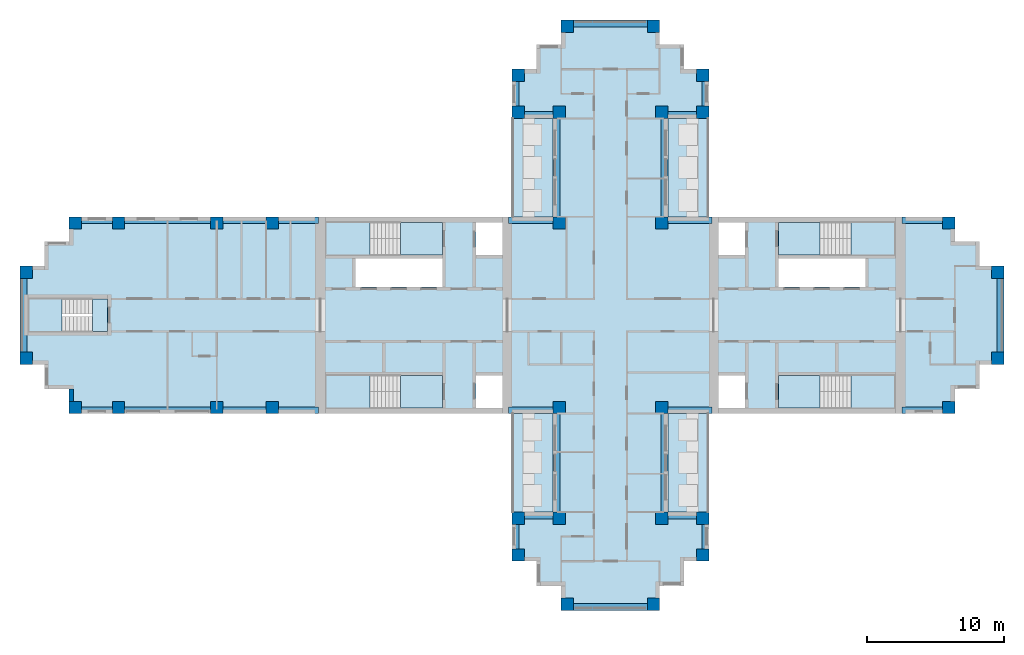
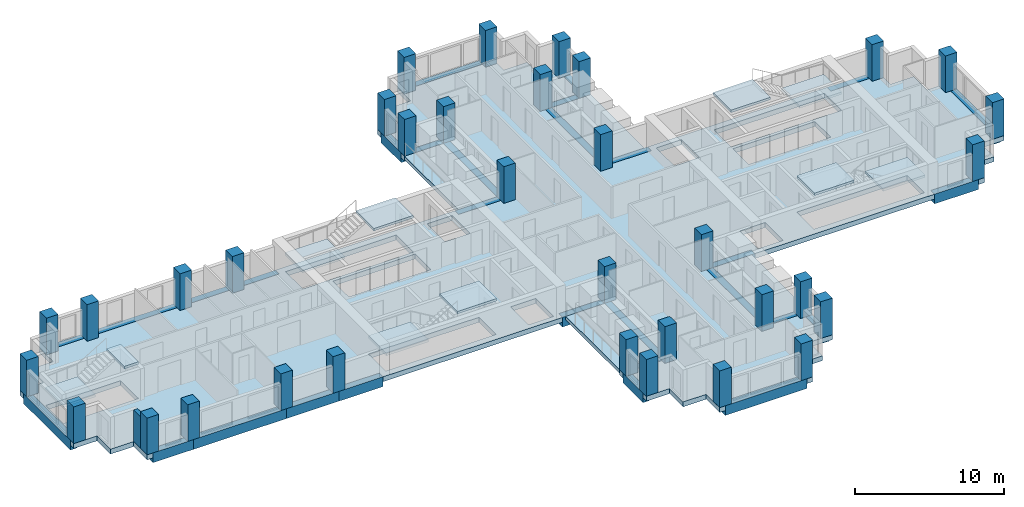
# One storey, part 1 of 11: 34 columns, 30 beams, 15 slabs, 1 wall, 5 elements without a shape of their own.
"""IFC4 building model written with IfcOpenShell, lengths in metres."""

from ifc_helpers import new_model, si_unit, direction, frame, frame_2d, origin, origin_2d, place, context, subcontext, project, spatial, polyline, rectangle, outline, extrude, material, layer, layer_set, material_profile, profile_set, type_object, element, aggregate, save


model = new_model("IFC4")

# Units and contexts
model_context = context("Model", 3, precision=1e-05, world=origin(), true_north=direction((0.0, 1.0)))
body_context = subcontext(model_context, "Body", "Model", "MODEL_VIEW")
ifc_project = project(units=[si_unit("LENGTHUNIT", "METRE"), si_unit("AREAUNIT", "SQUARE_METRE"), si_unit("VOLUMEUNIT", "CUBIC_METRE"), si_unit("PLANEANGLEUNIT", "RADIAN"), si_unit("MASSUNIT", "GRAM", prefix="KILO")], contexts=[model_context])

# Site, building, storey
site_placement = place(None, origin())
site = spatial("IfcSite", under=ifc_project, at=site_placement, CompositionType="ELEMENT")
building_placement = place(site_placement, origin())
building = spatial("IfcBuilding", under=site, at=building_placement, Name="Fustian Cross Tower", CompositionType="ELEMENT")
storey_placement = place(building_placement, frame((0.0, 0.0, 170.699951171875)))
storey = spatial("IfcBuildingStorey", under=building, at=storey_placement, Name="L53", CompositionType="ELEMENT", Elevation=170.699951171875)

# Columns
ifc_material_1 = material(Name="Concrete C40/50", Category="concrete")
ifc_material_profile_1 = material_profile(ifc_material_1, rectangle(XDim=0.89990234375, YDim=0.89990234375, at=origin_2d()), Name="RC 900x900")
ifc_profile_set_1 = profile_set([ifc_material_profile_1], Name="Concrete C40/50")
column_type = type_object("IfcColumnType", Name="COLUMN RC 900x900 C40/50", PredefinedType="COLUMN", material=ifc_profile_set_1)
for number, where, z_axis, x_axis, name in (
    (1, (-42.75, -3.14990234375, 0.0), (0.0, 0.0, 1.0), (1.0, 0.0, 0.0), "COLUMN 001"),
    (2, (-42.75, 3.14990234375, 0.0), (0.0, 0.0, 1.0), (1.0, 0.0, 0.0), "COLUMN 002"),
    (3, (-39.14990234375, -6.75, 0.0), (0.0, 0.0, 1.0), (1.0, 0.0, 0.0), "COLUMN 003"),
    (4, (-39.14990234375, 6.75, 0.0), (0.0, 0.0, 1.0), (1.0, 0.0, 0.0), "COLUMN 004"),
    (5, (-36.0, -6.75, 0.0), (0.0, 0.0, 1.0), (1.0, 0.0, 0.0), "COLUMN 005"),
    (6, (-36.0, 6.75, 0.0), (0.0, 0.0, 1.0), (1.0, 0.0, 0.0), "COLUMN 006"),
    (7, (-28.800048828125, -6.75, 0.0), (0.0, 0.0, 1.0), (1.0, 0.0, 0.0), "COLUMN 007"),
    (8, (-28.800048828125, 6.75, 0.0), (0.0, 0.0, 1.0), (1.0, 0.0, 0.0), "COLUMN 010"),
    (9, (-24.75, -6.75, 0.0), (0.0, 0.0, 1.0), (1.0, 0.0, 0.0), "COLUMN 011"),
    (10, (-24.75, 6.75, 0.0), (0.0, 0.0, 1.0), (1.0, 0.0, 0.0), "COLUMN 012"),
    (11, (-6.75, -17.550048828125, 0.0), (0.0, 0.0, 1.0), (1.0, 0.0, 0.0), "COLUMN 017"),
    (12, (-6.75, -14.85009765625, 0.0), (0.0, 0.0, 1.0), (1.0, 0.0, 0.0), "COLUMN 018"),
    (13, (-6.75, 14.85009765625, 0.0), (0.0, 0.0, 1.0), (1.0, 0.0, 0.0), "COLUMN 019"),
    (14, (-6.75, 17.550048828125, 0.0), (0.0, 0.0, 1.0), (1.0, 0.0, 0.0), "COLUMN 020"),
    (15, (-3.75, -14.85009765625, 0.0), (0.0, 0.0, 1.0), (1.0, 0.0, 0.0), "COLUMN 025"),
    (16, (-3.75, -6.75, 0.0), (0.0, 0.0, 1.0), (1.0, 0.0, 0.0), "COLUMN 026"),
    (17, (-3.75, 6.75, 0.0), (0.0, 0.0, 1.0), (1.0, 0.0, 0.0), "COLUMN 027"),
    (18, (-3.75, 14.85009765625, 0.0), (0.0, 0.0, 1.0), (1.0, 0.0, 0.0), "COLUMN 028"),
    (19, (-3.14990234375, -21.14990234375, 0.0), (0.0, 0.0, 1.0), (1.0, 0.0, 0.0), "COLUMN 030"),
    (20, (-3.14990234375, 21.14990234375, 0.0), (0.0, 0.0, 1.0), (1.0, 0.0, 0.0), "COLUMN 031"),
    (21, (3.14990234375, -21.14990234375, 0.0), (0.0, 0.0, 1.0), (1.0, 0.0, 0.0), "COLUMN 034"),
    (22, (3.14990234375, 21.14990234375, 0.0), (0.0, 0.0, 1.0), (1.0, 0.0, 0.0), "COLUMN 035"),
    (23, (3.75, -14.85009765625, 0.0), (0.0, 0.0, 1.0), (1.0, 0.0, 0.0), "COLUMN 037"),
    (24, (3.75, -6.75, 0.0), (0.0, 0.0, 1.0), (1.0, 0.0, 0.0), "COLUMN 038"),
    (25, (3.75, 6.75, 0.0), (0.0, 0.0, 1.0), (1.0, 0.0, 0.0), "COLUMN 039"),
    (26, (3.75, 14.85009765625, 0.0), (0.0, 0.0, 1.0), (1.0, 0.0, 0.0), "COLUMN 040"),
    (27, (6.75, -17.550048828125, 0.0), (0.0, 0.0, 1.0), (1.0, 0.0, 0.0), "COLUMN 045"),
    (28, (6.75, -14.85009765625, 0.0), (0.0, 0.0, 1.0), (1.0, 0.0, 0.0), "COLUMN 046"),
    (29, (6.75, 14.85009765625, 0.0), (0.0, 0.0, 1.0), (1.0, 0.0, 0.0), "COLUMN 047"),
    (30, (6.75, 17.550048828125, 0.0), (0.0, 0.0, 1.0), (1.0, 0.0, 0.0), "COLUMN 048"),
    (31, (24.75, -6.75, 0.0), (0.0, 0.0, 1.0), (1.0, 0.0, 0.0), "COLUMN 053"),
    (32, (24.75, 6.75, 0.0), (0.0, 0.0, 1.0), (1.0, 0.0, 0.0), "COLUMN 054"),
    (33, (28.35009765625, -3.14990234375, 0.0), (0.0, 0.0, 1.0), (1.0, 0.0, 0.0), "COLUMN 056"),
    (34, (28.35009765625, 3.14990234375, 0.0), (0.0, 0.0, 1.0), (1.0, 0.0, 0.0), "COLUMN 057"),
):
    element("IfcColumn", number, at=place(storey_placement, frame(where, z_axis=z_axis, x_axis=x_axis)), inside=storey, type_object=column_type, Name=name, PredefinedType="COLUMN", context=body_context, shape_type="SweptSolid", body=[
        extrude(rectangle(XDim=0.89990234375, YDim=0.89990234375, at=origin_2d()), origin(), (0.0, 0.0, 1.0), 3.0),
    ])

# Beams
ifc_material_2 = material(Name="Concrete C50/60", Category="concrete")
ifc_material_profile_2 = material_profile(ifc_material_2, rectangle(XDim=0.5, YDim=0.800048828125, at=origin_2d()), Name="RC 500x800")
ifc_profile_set_2 = profile_set([ifc_material_profile_2], Name="Concrete C50/60")
beam_type = type_object("IfcBeamType", Name="EDGE BEAM RC 500x800 C50/60", PredefinedType="SPANDREL", material=ifc_profile_set_2)
beam_1_placement = place(storey_placement, frame((21.35009765625, -6.949951171875, -0.39990234375), z_axis=(1.0, 0.0, 0.0), x_axis=(0.0, 1.0, 0.0)))
element("IfcBeam", 35, at=beam_1_placement, inside=storey, type_object=beam_type, Name="EDGE BEAM L53-01", PredefinedType="SPANDREL", context=body_context, shape_type="SweptSolid", body=[
    extrude(rectangle(XDim=0.5, YDim=0.800048828125, at=origin_2d()), origin(), (0.0, 0.0, 1.0), 3.39990234375),
])
beam_2_placement = place(storey_placement, frame((28.550048828125, -3.14990234375, -0.39990234375), z_axis=(0.0, 1.0, 0.0), x_axis=(-1.0, 0.0, 0.0)))
element("IfcBeam", 36, at=beam_2_placement, inside=storey, type_object=beam_type, Name="EDGE BEAM L53-02", PredefinedType="SPANDREL", context=body_context, shape_type="SweptSolid", body=[
    extrude(rectangle(XDim=0.5, YDim=0.800048828125, at=origin_2d()), origin(), (0.0, 0.0, 1.0), 6.2998046875),
])
beam_3_placement = place(storey_placement, frame((24.75, 6.949951171875, -0.39990234375), z_axis=(-1.0, 0.0, 0.0), x_axis=(0.0, -1.0, 0.0)))
element("IfcBeam", 37, at=beam_3_placement, inside=storey, type_object=beam_type, Name="EDGE BEAM L53-03", PredefinedType="SPANDREL", context=body_context, shape_type="SweptSolid", body=[
    extrude(rectangle(XDim=0.5, YDim=0.800048828125, at=origin_2d()), origin(), (0.0, 0.0, 1.0), 3.39990234375),
])
beam_4_placement = place(storey_placement, frame((7.449951171875, 6.949951171875, -0.39990234375), z_axis=(-1.0, 0.0, 0.0), x_axis=(0.0, -1.0, 0.0)))
element("IfcBeam", 38, at=beam_4_placement, inside=storey, type_object=beam_type, Name="EDGE BEAM L53-04", PredefinedType="SPANDREL", context=body_context, shape_type="SweptSolid", body=[
    extrude(rectangle(XDim=0.5, YDim=0.800048828125, at=origin_2d()), origin(), (0.0, 0.0, 1.0), 3.699951171875),
])
beam_5_placement = place(storey_placement, frame((3.949951171875, 6.75, -0.39990234375), z_axis=(0.0, 1.0, 0.0), x_axis=(-1.0, 0.0, 0.0)))
element("IfcBeam", 39, at=beam_5_placement, inside=storey, type_object=beam_type, Name="EDGE BEAM L53-05", PredefinedType="SPANDREL", context=body_context, shape_type="SweptSolid", body=[
    extrude(rectangle(XDim=0.5, YDim=0.800048828125, at=origin_2d()), origin(), (0.0, 0.0, 1.0), 8.10009765625),
])
beam_6_placement = place(storey_placement, frame((3.75, 14.64990234375, -0.39990234375), z_axis=(1.0, 0.0, 0.0), x_axis=(0.0, 1.0, 0.0)))
element("IfcBeam", 40, at=beam_6_placement, inside=storey, type_object=beam_type, Name="EDGE BEAM L53-06", PredefinedType="SPANDREL", context=body_context, shape_type="SweptSolid", body=[
    extrude(rectangle(XDim=0.5, YDim=0.800048828125, at=origin_2d()), origin(), (0.0, 0.0, 1.0), 3.0),
])
beam_7_placement = place(storey_placement, frame((6.949951171875, 14.85009765625, -0.39990234375), z_axis=(0.0, 1.0, 0.0), x_axis=(-1.0, 0.0, 0.0)))
element("IfcBeam", 41, at=beam_7_placement, inside=storey, type_object=beam_type, Name="EDGE BEAM L53-07", PredefinedType="SPANDREL", context=body_context, shape_type="SweptSolid", body=[
    extrude(rectangle(XDim=0.5, YDim=0.800048828125, at=origin_2d()), origin(), (0.0, 0.0, 1.0), 2.699951171875),
])
beam_8_placement = place(storey_placement, frame((3.14990234375, 21.35009765625, -0.39990234375), z_axis=(-1.0, 0.0, 0.0), x_axis=(0.0, -1.0, 0.0)))
element("IfcBeam", 42, at=beam_8_placement, inside=storey, type_object=beam_type, Name="EDGE BEAM L53-08", PredefinedType="SPANDREL", context=body_context, shape_type="SweptSolid", body=[
    extrude(rectangle(XDim=0.5, YDim=0.800048828125, at=origin_2d()), origin(), (0.0, 0.0, 1.0), 6.2998046875),
])
beam_9_placement = place(storey_placement, frame((-6.949951171875, 17.550048828125, -0.39990234375), z_axis=(0.0, -1.0, 0.0), x_axis=(1.0, 0.0, 0.0)))
element("IfcBeam", 43, at=beam_9_placement, inside=storey, type_object=beam_type, Name="EDGE BEAM L53-09", PredefinedType="SPANDREL", context=body_context, shape_type="SweptSolid", body=[
    extrude(rectangle(XDim=0.5, YDim=0.800048828125, at=origin_2d()), origin(), (0.0, 0.0, 1.0), 2.699951171875),
])
beam_10_placement = place(storey_placement, frame((-6.75, 14.64990234375, -0.39990234375), z_axis=(1.0, 0.0, 0.0), x_axis=(0.0, 1.0, 0.0)))
element("IfcBeam", 44, at=beam_10_placement, inside=storey, type_object=beam_type, Name="EDGE BEAM L53-10", PredefinedType="SPANDREL", context=body_context, shape_type="SweptSolid", body=[
    extrude(rectangle(XDim=0.5, YDim=0.800048828125, at=origin_2d()), origin(), (0.0, 0.0, 1.0), 3.0),
])
beam_11_placement = place(storey_placement, frame((-3.949951171875, 14.85009765625, -0.39990234375), z_axis=(0.0, -1.0, 0.0), x_axis=(1.0, 0.0, 0.0)))
element("IfcBeam", 45, at=beam_11_placement, inside=storey, type_object=beam_type, Name="EDGE BEAM L53-11", PredefinedType="SPANDREL", context=body_context, shape_type="SweptSolid", body=[
    extrude(rectangle(XDim=0.5, YDim=0.800048828125, at=origin_2d()), origin(), (0.0, 0.0, 1.0), 8.10009765625),
])
beam_12_placement = place(storey_placement, frame((-3.75, 6.949951171875, -0.39990234375), z_axis=(-1.0, 0.0, 0.0), x_axis=(0.0, -1.0, 0.0)))
element("IfcBeam", 46, at=beam_12_placement, inside=storey, type_object=beam_type, Name="EDGE BEAM L53-12", PredefinedType="SPANDREL", context=body_context, shape_type="SweptSolid", body=[
    extrude(rectangle(XDim=0.5, YDim=0.800048828125, at=origin_2d()), origin(), (0.0, 0.0, 1.0), 3.699951171875),
])
beam_13_placement = place(storey_placement, frame((-21.35009765625, 6.949951171875, -0.39990234375), z_axis=(-1.0, 0.0, 0.0), x_axis=(0.0, -1.0, 0.0)))
element("IfcBeam", 47, at=beam_13_placement, inside=storey, type_object=beam_type, Name="EDGE BEAM L53-13", PredefinedType="SPANDREL", context=body_context, shape_type="SweptSolid", body=[
    extrude(rectangle(XDim=0.5, YDim=0.800048828125, at=origin_2d()), origin(), (0.0, 0.0, 1.0), 3.39990234375),
])
beam_14_placement = place(storey_placement, frame((-24.75, 6.949951171875, -0.39990234375), z_axis=(-1.0, 0.0, 0.0), x_axis=(0.0, -1.0, 0.0)))
element("IfcBeam", 48, at=beam_14_placement, inside=storey, type_object=beam_type, Name="EDGE BEAM L53-14", PredefinedType="SPANDREL", context=body_context, shape_type="SweptSolid", body=[
    extrude(rectangle(XDim=0.5, YDim=0.800048828125, at=origin_2d()), origin(), (0.0, 0.0, 1.0), 4.050048828125),
])
beam_15_placement = place(storey_placement, frame((-28.800048828125, 6.949951171875, -0.39990234375), z_axis=(-1.0, 0.0, 0.0), x_axis=(0.0, -1.0, 0.0)))
element("IfcBeam", 49, at=beam_15_placement, inside=storey, type_object=beam_type, Name="EDGE BEAM L53-15", PredefinedType="SPANDREL", context=body_context, shape_type="SweptSolid", body=[
    extrude(rectangle(XDim=0.5, YDim=0.800048828125, at=origin_2d()), origin(), (0.0, 0.0, 1.0), 7.199951171875),
])
beam_16_placement = place(storey_placement, frame((-36.0, 6.949951171875, -0.39990234375), z_axis=(-1.0, 0.0, 0.0), x_axis=(0.0, -1.0, 0.0)))
element("IfcBeam", 50, at=beam_16_placement, inside=storey, type_object=beam_type, Name="EDGE BEAM L53-16", PredefinedType="SPANDREL", context=body_context, shape_type="SweptSolid", body=[
    extrude(rectangle(XDim=0.5, YDim=0.800048828125, at=origin_2d()), origin(), (0.0, 0.0, 1.0), 3.14990234375),
])
beam_17_placement = place(storey_placement, frame((-42.949951171875, 3.14990234375, -0.39990234375), z_axis=(0.0, -1.0, 0.0), x_axis=(1.0, 0.0, 0.0)))
element("IfcBeam", 51, at=beam_17_placement, inside=storey, type_object=beam_type, Name="EDGE BEAM L53-17", PredefinedType="SPANDREL", context=body_context, shape_type="SweptSolid", body=[
    extrude(rectangle(XDim=0.5, YDim=0.800048828125, at=origin_2d()), origin(), (0.0, 0.0, 1.0), 6.2998046875),
])
beam_18_placement = place(storey_placement, frame((-39.14990234375, -6.949951171875, -0.39990234375), z_axis=(1.0, 0.0, 0.0), x_axis=(0.0, 1.0, 0.0)))
element("IfcBeam", 52, at=beam_18_placement, inside=storey, type_object=beam_type, Name="EDGE BEAM L53-18", PredefinedType="SPANDREL", context=body_context, shape_type="SweptSolid", body=[
    extrude(rectangle(XDim=0.5, YDim=0.800048828125, at=origin_2d()), origin(), (0.0, 0.0, 1.0), 3.14990234375),
])
beam_19_placement = place(storey_placement, frame((-36.0, -6.949951171875, -0.39990234375), z_axis=(1.0, 0.0, 0.0), x_axis=(0.0, 1.0, 0.0)))
element("IfcBeam", 53, at=beam_19_placement, inside=storey, type_object=beam_type, Name="EDGE BEAM L53-19", PredefinedType="SPANDREL", context=body_context, shape_type="SweptSolid", body=[
    extrude(rectangle(XDim=0.5, YDim=0.800048828125, at=origin_2d()), origin(), (0.0, 0.0, 1.0), 7.199951171875),
])
beam_20_placement = place(storey_placement, frame((-28.800048828125, -6.949951171875, -0.39990234375), z_axis=(1.0, 0.0, 0.0), x_axis=(0.0, 1.0, 0.0)))
element("IfcBeam", 54, at=beam_20_placement, inside=storey, type_object=beam_type, Name="EDGE BEAM L53-20", PredefinedType="SPANDREL", context=body_context, shape_type="SweptSolid", body=[
    extrude(rectangle(XDim=0.5, YDim=0.800048828125, at=origin_2d()), origin(), (0.0, 0.0, 1.0), 4.050048828125),
])
beam_21_placement = place(storey_placement, frame((-24.75, -6.949951171875, -0.39990234375), z_axis=(1.0, 0.0, 0.0), x_axis=(0.0, 1.0, 0.0)))
element("IfcBeam", 55, at=beam_21_placement, inside=storey, type_object=beam_type, Name="EDGE BEAM L53-21", PredefinedType="SPANDREL", context=body_context, shape_type="SweptSolid", body=[
    extrude(rectangle(XDim=0.5, YDim=0.800048828125, at=origin_2d()), origin(), (0.0, 0.0, 1.0), 3.39990234375),
])
beam_22_placement = place(storey_placement, frame((-7.449951171875, -6.949951171875, -0.39990234375), z_axis=(1.0, 0.0, 0.0), x_axis=(0.0, 1.0, 0.0)))
element("IfcBeam", 56, at=beam_22_placement, inside=storey, type_object=beam_type, Name="EDGE BEAM L53-22", PredefinedType="SPANDREL", context=body_context, shape_type="SweptSolid", body=[
    extrude(rectangle(XDim=0.5, YDim=0.800048828125, at=origin_2d()), origin(), (0.0, 0.0, 1.0), 3.699951171875),
])
beam_23_placement = place(storey_placement, frame((-3.949951171875, -6.75, -0.39990234375), z_axis=(0.0, -1.0, 0.0), x_axis=(1.0, 0.0, 0.0)))
element("IfcBeam", 57, at=beam_23_placement, inside=storey, type_object=beam_type, Name="EDGE BEAM L53-23", PredefinedType="SPANDREL", context=body_context, shape_type="SweptSolid", body=[
    extrude(rectangle(XDim=0.5, YDim=0.800048828125, at=origin_2d()), origin(), (0.0, 0.0, 1.0), 8.10009765625),
])
beam_24_placement = place(storey_placement, frame((-3.75, -14.64990234375, -0.39990234375), z_axis=(-1.0, 0.0, 0.0), x_axis=(0.0, -1.0, 0.0)))
element("IfcBeam", 58, at=beam_24_placement, inside=storey, type_object=beam_type, Name="EDGE BEAM L53-24", PredefinedType="SPANDREL", context=body_context, shape_type="SweptSolid", body=[
    extrude(rectangle(XDim=0.5, YDim=0.800048828125, at=origin_2d()), origin(), (0.0, 0.0, 1.0), 3.0),
])
beam_25_placement = place(storey_placement, frame((-6.949951171875, -14.85009765625, -0.39990234375), z_axis=(0.0, -1.0, 0.0), x_axis=(1.0, 0.0, 0.0)))
element("IfcBeam", 59, at=beam_25_placement, inside=storey, type_object=beam_type, Name="EDGE BEAM L53-25", PredefinedType="SPANDREL", context=body_context, shape_type="SweptSolid", body=[
    extrude(rectangle(XDim=0.5, YDim=0.800048828125, at=origin_2d()), origin(), (0.0, 0.0, 1.0), 2.699951171875),
])
beam_26_placement = place(storey_placement, frame((-3.14990234375, -21.35009765625, -0.39990234375), z_axis=(1.0, 0.0, 0.0), x_axis=(0.0, 1.0, 0.0)))
element("IfcBeam", 60, at=beam_26_placement, inside=storey, type_object=beam_type, Name="EDGE BEAM L53-26", PredefinedType="SPANDREL", context=body_context, shape_type="SweptSolid", body=[
    extrude(rectangle(XDim=0.5, YDim=0.800048828125, at=origin_2d()), origin(), (0.0, 0.0, 1.0), 6.2998046875),
])
beam_27_placement = place(storey_placement, frame((6.949951171875, -17.550048828125, -0.39990234375), z_axis=(0.0, 1.0, 0.0), x_axis=(-1.0, 0.0, 0.0)))
element("IfcBeam", 61, at=beam_27_placement, inside=storey, type_object=beam_type, Name="EDGE BEAM L53-27", PredefinedType="SPANDREL", context=body_context, shape_type="SweptSolid", body=[
    extrude(rectangle(XDim=0.5, YDim=0.800048828125, at=origin_2d()), origin(), (0.0, 0.0, 1.0), 2.699951171875),
])
beam_28_placement = place(storey_placement, frame((6.75, -14.64990234375, -0.39990234375), z_axis=(-1.0, 0.0, 0.0), x_axis=(0.0, -1.0, 0.0)))
element("IfcBeam", 62, at=beam_28_placement, inside=storey, type_object=beam_type, Name="EDGE BEAM L53-28", PredefinedType="SPANDREL", context=body_context, shape_type="SweptSolid", body=[
    extrude(rectangle(XDim=0.5, YDim=0.800048828125, at=origin_2d()), origin(), (0.0, 0.0, 1.0), 3.0),
])
beam_29_placement = place(storey_placement, frame((3.949951171875, -14.85009765625, -0.39990234375), z_axis=(0.0, 1.0, 0.0), x_axis=(-1.0, 0.0, 0.0)))
element("IfcBeam", 63, at=beam_29_placement, inside=storey, type_object=beam_type, Name="EDGE BEAM L53-29", PredefinedType="SPANDREL", context=body_context, shape_type="SweptSolid", body=[
    extrude(rectangle(XDim=0.5, YDim=0.800048828125, at=origin_2d()), origin(), (0.0, 0.0, 1.0), 8.10009765625),
])
beam_30_placement = place(storey_placement, frame((3.75, -6.949951171875, -0.39990234375), z_axis=(1.0, 0.0, 0.0), x_axis=(0.0, 1.0, 0.0)))
element("IfcBeam", 64, at=beam_30_placement, inside=storey, type_object=beam_type, Name="EDGE BEAM L53-30", PredefinedType="SPANDREL", context=body_context, shape_type="SweptSolid", body=[
    extrude(rectangle(XDim=0.5, YDim=0.800048828125, at=origin_2d()), origin(), (0.0, 0.0, 1.0), 3.699951171875),
])

# Slabs
ifc_material_3 = material(Name="Concrete C40/50", Category="concrete")
ifc_layer_1 = layer(ifc_material_3, 0.300048828125)
ifc_layer_set_1 = layer_set([ifc_layer_1], Name="Concrete C40/50")
slab_type_1 = type_object("IfcSlabType", Name="BS1 BALCONY SLAB 300", PredefinedType="FLOOR", material=ifc_layer_set_1)
slab_1_placement = place(storey_placement, frame((0.0, 0.0, -0.300048828125)))
element("IfcSlab", 65, at=slab_1_placement, inside=storey, type_object=slab_type_1, Name="Balcony slab", PredefinedType="FLOOR", context=body_context, shape_type="SweptSolid", body=[
    extrude(outline(polyline([(4.199951171875, 7.199951171875), (7.199951171875, 7.199951171875), (7.199951171875, 14.39990234375), (4.199951171875, 14.39990234375), (4.199951171875, 7.199951171875)])), origin(), (0.0, 0.0, 1.0), 0.300048828125),
])
slab_2_placement = place(storey_placement, frame((0.0, 0.0, -0.300048828125)))
element("IfcSlab", 66, at=slab_2_placement, inside=storey, type_object=slab_type_1, Name="Balcony slab", PredefinedType="FLOOR", context=body_context, shape_type="SweptSolid", body=[
    extrude(outline(polyline([(-7.199951171875, 7.199951171875), (-4.199951171875, 7.199951171875), (-4.199951171875, 14.39990234375), (-7.199951171875, 14.39990234375), (-7.199951171875, 7.199951171875)])), origin(), (0.0, 0.0, 1.0), 0.300048828125),
])
slab_3_placement = place(storey_placement, frame((0.0, 0.0, -0.300048828125)))
element("IfcSlab", 67, at=slab_3_placement, inside=storey, type_object=slab_type_1, Name="Balcony slab", PredefinedType="FLOOR", context=body_context, shape_type="SweptSolid", body=[
    extrude(outline(polyline([(4.199951171875, -14.39990234375), (7.199951171875, -14.39990234375), (7.199951171875, -7.199951171875), (4.199951171875, -7.199951171875), (4.199951171875, -14.39990234375)])), origin(), (0.0, 0.0, 1.0), 0.300048828125),
])
slab_4_placement = place(storey_placement, frame((0.0, 0.0, -0.300048828125)))
element("IfcSlab", 68, at=slab_4_placement, inside=storey, type_object=slab_type_1, Name="Balcony slab", PredefinedType="FLOOR", context=body_context, shape_type="SweptSolid", body=[
    extrude(outline(polyline([(-7.199951171875, -14.39990234375), (-4.199951171875, -14.39990234375), (-4.199951171875, -7.199951171875), (-7.199951171875, -7.199951171875), (-7.199951171875, -14.39990234375)])), origin(), (0.0, 0.0, 1.0), 0.300048828125),
])
ifc_material_4 = material(Name="Concrete C40/50", Category="concrete")
ifc_layer_2 = layer(ifc_material_4, 0.39990234375)
ifc_layer_set_2 = layer_set([ifc_layer_2], Name="Concrete C40/50")
slab_type_2 = type_object("IfcSlabType", Name="FLAT SLAB 400", PredefinedType="FLOOR", material=ifc_layer_set_2)
slab_5_placement = place(storey_placement, frame((0.0, 0.0, -0.39990234375)))
element("IfcSlab", 69, at=slab_5_placement, inside=storey, type_object=slab_type_2, Name="FLOOR SLAB L53-1", PredefinedType="FLOOR", context=body_context, shape_type="SweptSolid", body=[
    extrude(outline(polyline([(-5.39990234375, -19.800048828125), (-5.39990234375, -18.0), (-7.199951171875, -18.0), (-7.199951171875, -14.39990234375), (-4.199951171875, -14.39990234375), (-4.199951171875, -7.199951171875), (-39.60009765625, -7.199951171875), (-39.60009765625, -5.39990234375), (-41.39990234375, -5.39990234375), (-41.39990234375, -3.60009765625), (-43.199951171875, -3.60009765625), (-43.199951171875, 3.60009765625), (-41.39990234375, 3.60009765625), (-41.39990234375, 5.39990234375), (-39.60009765625, 5.39990234375), (-39.60009765625, 7.199951171875), (-4.199951171875, 7.199951171875), (-4.199951171875, 14.39990234375), (-7.199951171875, 14.39990234375), (-7.199951171875, 18.0), (-5.39990234375, 18.0), (-5.39990234375, 19.800048828125), (-3.60009765625, 19.800048828125), (-3.60009765625, 21.60009765625), (3.60009765625, 21.60009765625), (3.60009765625, 19.800048828125), (5.39990234375, 19.800048828125), (5.39990234375, 18.0), (7.199951171875, 18.0), (7.199951171875, 14.39990234375), (4.199951171875, 14.39990234375), (4.199951171875, 7.199951171875), (25.199951171875, 7.199951171875), (25.199951171875, 5.39990234375), (27.0, 5.39990234375), (27.0, 3.60009765625), (28.800048828125, 3.60009765625), (28.800048828125, -3.60009765625), (27.0, -3.60009765625), (27.0, -5.39990234375), (25.199951171875, -5.39990234375), (25.199951171875, -7.199951171875), (4.199951171875, -7.199951171875), (4.199951171875, -14.39990234375), (7.199951171875, -14.39990234375), (7.199951171875, -18.0), (5.39990234375, -18.0), (5.39990234375, -19.800048828125), (3.60009765625, -19.800048828125), (3.60009765625, -21.60009765625), (-3.60009765625, -21.60009765625), (-3.60009765625, -19.800048828125), (-5.39990234375, -19.800048828125)]), holes=[polyline([(7.89990234375, 4.39990234375), (9.85009765625, 4.39990234375), (9.85009765625, 6.800048828125), (7.89990234375, 6.800048828125), (7.89990234375, 4.39990234375)]), polyline([(7.89990234375, -4.39990234375), (7.89990234375, -6.800048828125), (9.85009765625, -6.800048828125), (9.85009765625, -4.39990234375), (7.89990234375, -4.39990234375)]), polyline([(-7.89990234375, 6.800048828125), (-9.85009765625, 6.800048828125), (-9.85009765625, 4.39990234375), (-7.89990234375, 4.39990234375), (-7.89990234375, 6.800048828125)]), polyline([(-7.89990234375, -6.800048828125), (-7.89990234375, -4.39990234375), (-9.85009765625, -4.39990234375), (-9.85009765625, -6.800048828125), (-7.89990234375, -6.800048828125)]), polyline([(12.300048828125, 2.050048828125), (18.64990234375, 2.050048828125), (18.64990234375, 4.14990234375), (12.300048828125, 4.14990234375), (12.300048828125, 2.050048828125)]), polyline([(-18.64990234375, 4.14990234375), (-18.64990234375, 2.050048828125), (-12.300048828125, 2.050048828125), (-12.300048828125, 4.14990234375), (-18.64990234375, 4.14990234375)]), polyline([(20.85009765625, 6.699951171875), (12.300048828125, 6.699951171875), (12.300048828125, 4.39990234375), (20.85009765625, 4.39990234375), (20.85009765625, 6.699951171875)]), polyline([(20.85009765625, -6.699951171875), (20.85009765625, -4.39990234375), (12.300048828125, -4.39990234375), (12.300048828125, -6.699951171875), (20.85009765625, -6.699951171875)]), polyline([(-20.85009765625, 4.39990234375), (-12.300048828125, 4.39990234375), (-12.300048828125, 6.699951171875), (-20.85009765625, 6.699951171875), (-20.85009765625, 4.39990234375)]), polyline([(-20.85009765625, -4.39990234375), (-20.85009765625, -6.699951171875), (-12.300048828125, -6.699951171875), (-12.300048828125, -4.39990234375), (-20.85009765625, -4.39990234375)]), polyline([(-36.800048828125, 1.199951171875), (-42.60009765625, 1.199951171875), (-42.60009765625, -1.199951171875), (-36.800048828125, -1.199951171875), (-36.800048828125, 1.199951171875)])]), origin(), (0.0, 0.0, 1.0), 0.39990234375),
])

# Stair, slabs
ifc_material_5 = material(Name="Concrete C50/60", Category="concrete")
stair_type_1 = type_object("IfcStairType", Name="STAIR 1200 HALF TURN", PredefinedType="HALF_TURN_STAIR", material=ifc_material_5)
stair_1_placement = place(storey_placement, origin())
stair_1 = element("IfcStair", 70, at=stair_1_placement, inside=storey, type_object=stair_type_1, Name="Stair ST1", PredefinedType="HALF_TURN_STAIR")
ifc_material_6 = material(Name="Concrete C50/60", Category="concrete")
ifc_layer_3 = layer(ifc_material_6, 0.199951171875)
ifc_layer_set_3 = layer_set([ifc_layer_3], Name="Concrete C50/60")
slab_type_3 = type_object("IfcSlabType", Name="STAIR LANDING", PredefinedType="LANDING", material=ifc_layer_set_3)
slab_6_placement = place(storey_placement, frame((0.0, 0.0, 1.300048828125)))
slab_6 = element("IfcSlab", 71, at=slab_6_placement, type_object=slab_type_3, Name="ST1 landing 1", PredefinedType="LANDING", context=body_context, shape_type="SweptSolid", body=[
    extrude(outline(polyline([(17.590087890625, 4.39990234375), (20.85009765625, 4.39990234375), (20.85009765625, 6.800048828125), (17.590087890625, 6.800048828125), (17.590087890625, 4.39990234375)])), origin(), (0.0, 0.0, 1.0), 0.199951171875),
])
slab_7_placement = place(storey_placement, frame((0.0, 0.0, 2.800048828125)))
slab_7 = element("IfcSlab", 72, at=slab_7_placement, type_object=slab_type_3, Name="ST1 landing 2", PredefinedType="LANDING", context=body_context, shape_type="SweptSolid", body=[
    extrude(outline(polyline([(12.300048828125, 4.39990234375), (15.35009765625, 4.39990234375), (15.35009765625, 6.800048828125), (12.300048828125, 6.800048828125), (12.300048828125, 4.39990234375)])), origin(), (0.0, 0.0, 1.0), 0.199951171875),
])
aggregate(stair_1, [slab_6, slab_7])

stair_2_placement = place(storey_placement, origin())
stair_2 = element("IfcStair", 73, at=stair_2_placement, inside=storey, type_object=stair_type_1, Name="Stair ST2", PredefinedType="HALF_TURN_STAIR")
slab_8_placement = place(storey_placement, frame((0.0, 0.0, 1.300048828125)))
slab_8 = element("IfcSlab", 74, at=slab_8_placement, type_object=slab_type_3, Name="ST2 landing 1", PredefinedType="LANDING", context=body_context, shape_type="SweptSolid", body=[
    extrude(outline(polyline([(17.590087890625, -4.39990234375), (20.85009765625, -4.39990234375), (20.85009765625, -6.800048828125), (17.590087890625, -6.800048828125), (17.590087890625, -4.39990234375)])), origin(), (0.0, 0.0, 1.0), 0.199951171875),
])
slab_9_placement = place(storey_placement, frame((0.0, 0.0, 2.800048828125)))
slab_9 = element("IfcSlab", 75, at=slab_9_placement, type_object=slab_type_3, Name="ST2 landing 2", PredefinedType="LANDING", context=body_context, shape_type="SweptSolid", body=[
    extrude(outline(polyline([(12.300048828125, -4.39990234375), (15.35009765625, -4.39990234375), (15.35009765625, -6.800048828125), (12.300048828125, -6.800048828125), (12.300048828125, -4.39990234375)])), origin(), (0.0, 0.0, 1.0), 0.199951171875),
])
aggregate(stair_2, [slab_8, slab_9])

stair_3_placement = place(storey_placement, origin())
stair_3 = element("IfcStair", 76, at=stair_3_placement, inside=storey, type_object=stair_type_1, Name="Stair ST3", PredefinedType="HALF_TURN_STAIR")
slab_10_placement = place(storey_placement, frame((0.0, 0.0, 1.300048828125)))
slab_10 = element("IfcSlab", 77, at=slab_10_placement, type_object=slab_type_3, Name="ST3 landing 1", PredefinedType="LANDING", context=body_context, shape_type="SweptSolid", body=[
    extrude(outline(polyline([(-17.590087890625, 4.39990234375), (-20.85009765625, 4.39990234375), (-20.85009765625, 6.800048828125), (-17.590087890625, 6.800048828125), (-17.590087890625, 4.39990234375)])), origin(), (0.0, 0.0, 1.0), 0.199951171875),
])
slab_11_placement = place(storey_placement, frame((0.0, 0.0, 2.800048828125)))
slab_11 = element("IfcSlab", 78, at=slab_11_placement, type_object=slab_type_3, Name="ST3 landing 2", PredefinedType="LANDING", context=body_context, shape_type="SweptSolid", body=[
    extrude(outline(polyline([(-12.300048828125, 4.39990234375), (-15.35009765625, 4.39990234375), (-15.35009765625, 6.800048828125), (-12.300048828125, 6.800048828125), (-12.300048828125, 4.39990234375)])), origin(), (0.0, 0.0, 1.0), 0.199951171875),
])
aggregate(stair_3, [slab_10, slab_11])

stair_4_placement = place(storey_placement, origin())
stair_4 = element("IfcStair", 79, at=stair_4_placement, inside=storey, type_object=stair_type_1, Name="Stair ST4", PredefinedType="HALF_TURN_STAIR")
slab_12_placement = place(storey_placement, frame((0.0, 0.0, 1.300048828125)))
slab_12 = element("IfcSlab", 80, at=slab_12_placement, type_object=slab_type_3, Name="ST4 landing 1", PredefinedType="LANDING", context=body_context, shape_type="SweptSolid", body=[
    extrude(outline(polyline([(-17.590087890625, -4.39990234375), (-20.85009765625, -4.39990234375), (-20.85009765625, -6.800048828125), (-17.590087890625, -6.800048828125), (-17.590087890625, -4.39990234375)])), origin(), (0.0, 0.0, 1.0), 0.199951171875),
])
slab_13_placement = place(storey_placement, frame((0.0, 0.0, 2.800048828125)))
slab_13 = element("IfcSlab", 81, at=slab_13_placement, type_object=slab_type_3, Name="ST4 landing 2", PredefinedType="LANDING", context=body_context, shape_type="SweptSolid", body=[
    extrude(outline(polyline([(-12.300048828125, -4.39990234375), (-15.35009765625, -4.39990234375), (-15.35009765625, -6.800048828125), (-12.300048828125, -6.800048828125), (-12.300048828125, -4.39990234375)])), origin(), (0.0, 0.0, 1.0), 0.199951171875),
])
aggregate(stair_4, [slab_12, slab_13])

ifc_material_7 = material(Name="Concrete C50/60", Category="concrete")
stair_type_2 = type_object("IfcStairType", Name="STAIR 1100 HALF TURN", PredefinedType="HALF_TURN_STAIR", material=ifc_material_7)
stair_5_placement = place(storey_placement, origin())
stair_5 = element("IfcStair", 82, at=stair_5_placement, inside=storey, type_object=stair_type_2, Name="Stair ST9", PredefinedType="HALF_TURN_STAIR")
slab_14_placement = place(storey_placement, frame((0.0, 0.0, 1.300048828125)))
slab_14 = element("IfcSlab", 83, at=slab_14_placement, type_object=slab_type_3, Name="ST9 landing 1", PredefinedType="LANDING", context=body_context, shape_type="SweptSolid", body=[
    extrude(outline(polyline([(-40.139892578125, -1.199951171875), (-42.60009765625, -1.199951171875), (-42.60009765625, 1.199951171875), (-40.139892578125, 1.199951171875), (-40.139892578125, -1.199951171875)])), origin(), (0.0, 0.0, 1.0), 0.199951171875),
])
slab_15_placement = place(storey_placement, frame((0.0, 0.0, 2.800048828125)))
slab_15 = element("IfcSlab", 84, at=slab_15_placement, type_object=slab_type_3, Name="ST9 landing 2", PredefinedType="LANDING", context=body_context, shape_type="SweptSolid", body=[
    extrude(outline(polyline([(-36.800048828125, -1.199951171875), (-37.89990234375, -1.199951171875), (-37.89990234375, 1.199951171875), (-36.800048828125, 1.199951171875), (-36.800048828125, -1.199951171875)])), origin(), (0.0, 0.0, 1.0), 0.199951171875),
])
aggregate(stair_5, [slab_14, slab_15])

# Wall
ifc_material_8 = material(Name="Dark aluminium cladding on insulated backing wall", Category="aluminium")
ifc_layer_4 = layer(ifc_material_8, 0.300048828125)
ifc_layer_set_4 = layer_set([ifc_layer_4], Name="Dark aluminium cladding on insulated backing wall")
wall_type = type_object("IfcWallType", Name="XW1 EXTERNAL WALL 300", PredefinedType="SOLIDWALL", material=ifc_layer_set_4)
wall_placement = place(storey_placement, frame((-39.449951171875, -5.39990234375, 0.0), z_axis=(0.0, 0.0, 1.0), x_axis=(0.0, -1.0, 0.0)))
element("IfcWall", 85, at=wall_placement, inside=storey, type_object=wall_type, Name="External wall", PredefinedType="SOLIDWALL", context=body_context, shape_type="SweptSolid", body=[
    extrude(rectangle(XDim=0.900146484375, YDim=0.300048828125, at=frame_2d((0.4501953125, 0.0))), origin(), (0.0, 0.0, 1.0), 2.60009765625),
])

save(model, "model.ifc")
